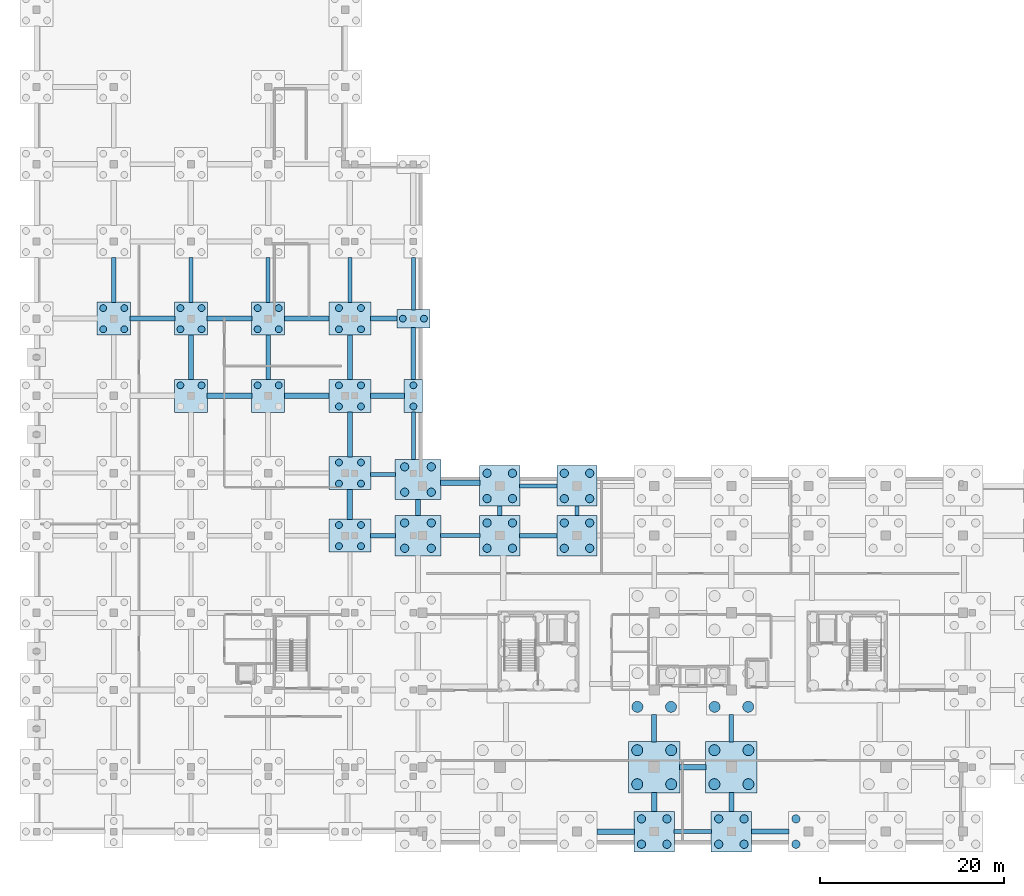
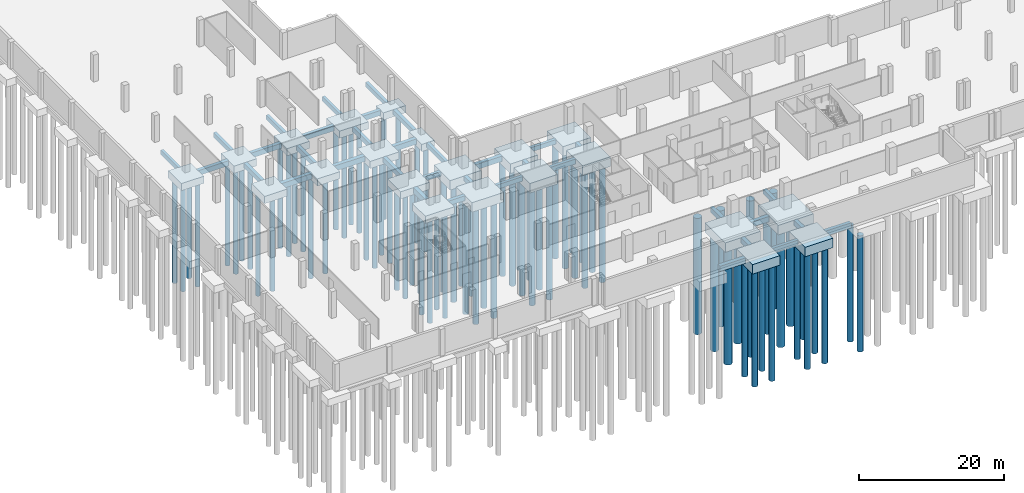
# One storey, part 3 of 17: 82 piles, 57 footings.
"""IFC4 building model written with IfcOpenShell, lengths in metres."""

from ifc_helpers import new_model, si_unit, direction, frame, origin, origin_2d, place, context, subcontext, project, spatial, rectangle, circle, extrude, material, material_profile, profile_set, type_object, element, save


model = new_model("IFC4")

# Units and contexts
model_context = context("Model", 3, precision=1e-05, world=origin(), true_north=direction((0.0, 1.0)))
body_context = subcontext(model_context, "Body", "Model", "MODEL_VIEW")
ifc_project = project(units=[si_unit("LENGTHUNIT", "METRE"), si_unit("AREAUNIT", "SQUARE_METRE"), si_unit("VOLUMEUNIT", "CUBIC_METRE"), si_unit("PLANEANGLEUNIT", "RADIAN"), si_unit("MASSUNIT", "GRAM", prefix="KILO")], contexts=[model_context])

# Site, building, storey
site_placement = place(None, origin())
site = spatial("IfcSite", under=ifc_project, at=site_placement, CompositionType="ELEMENT")
building_placement = place(site_placement, origin())
building = spatial("IfcBuilding", under=site, at=building_placement, Name="Telukmera Botanical Conservatory", CompositionType="ELEMENT")
storey_placement = place(building_placement, frame((0.0, 0.0, -4.5)))
storey = spatial("IfcBuildingStorey", under=building, at=storey_placement, Name="B1", CompositionType="ELEMENT", Elevation=-4.5)

# Footings
ifc_material_1 = material(Name="Concrete C50/60", Category="concrete")
footing_type_1 = type_object("IfcFootingType", Name="Cap_PC10", PredefinedType="PILE_CAP", material=ifc_material_1)
for number, where, z_axis, x_axis, name in (
    (1, (75.60009765625, 17.60009765625, -2.050048828125), (0.0, 0.0, 1.0), (1.0, 0.0, 0.0), "Pile Cap G015"),
    (2, (84.0, 17.60009765625, -2.050048828125), (0.0, 0.0, 1.0), (1.0, 0.0, 0.0), "Pile Cap G021"),
):
    element("IfcFooting", number, at=place(storey_placement, frame(where, z_axis=z_axis, x_axis=x_axis)), inside=storey, type_object=footing_type_1, Name=name, PredefinedType="PILE_CAP", context=body_context, shape_type="SweptSolid", body=[
        extrude(rectangle(XDim=5.60009765625, YDim=5.60009765625, at=origin_2d()), origin(), (0.0, 0.0, 1.0), 1.60009765625),
    ])
footing_type_2 = type_object("IfcFootingType", Name="Cap_PC2", PredefinedType="PILE_CAP", material=ifc_material_1)
footing_1_placement = place(storey_placement, frame((49.39990234375, 66.39990234375, -1.64990234375), z_axis=(0.0, 0.0, 1.0), x_axis=(1.0, 0.0, 0.0)))
element("IfcFooting", 3, at=footing_1_placement, inside=storey, type_object=footing_type_2, Name="Pile Cap G142", PredefinedType="PILE_CAP", context=body_context, shape_type="SweptSolid", body=[
    extrude(rectangle(XDim=3.60009765625, YDim=2.0, at=origin_2d()), origin(), (0.0, 0.0, 1.0), 1.199951171875),
])
footing_type_3 = type_object("IfcFootingType", Name="Cap_PC3", PredefinedType="PILE_CAP", material=ifc_material_1)
footing_2_placement = place(storey_placement, frame((49.39990234375, 58.0, -1.64990234375), z_axis=(0.0, 0.0, 1.0), x_axis=(1.0, 0.0, 0.0)))
element("IfcFooting", 4, at=footing_2_placement, inside=storey, type_object=footing_type_3, Name="Pile Cap G141", PredefinedType="PILE_CAP", context=body_context, shape_type="SweptSolid", body=[
    extrude(rectangle(XDim=2.0, YDim=3.60009765625, at=origin_2d()), origin(), (0.0, 0.0, 1.0), 1.199951171875),
])
footing_type_4 = type_object("IfcFootingType", Name="Cap_PC4", PredefinedType="PILE_CAP", material=ifc_material_1)
for number, where, z_axis, x_axis, name in (
    (5, (16.800048828125, 66.39990234375, -1.64990234375), (0.0, 0.0, 1.0), (1.0, 0.0, 0.0), "Pile Cap G106"),
    (6, (25.199951171875, 58.0, -1.64990234375), (0.0, 0.0, 1.0), (1.0, 0.0, 0.0), "Pile Cap G113"),
    (7, (25.199951171875, 66.39990234375, -1.64990234375), (0.0, 0.0, 1.0), (1.0, 0.0, 0.0), "Pile Cap G114"),
    (8, (33.60009765625, 58.0, -1.64990234375), (0.0, 0.0, 1.0), (1.0, 0.0, 0.0), "Pile Cap G121"),
    (9, (33.60009765625, 66.39990234375, -1.64990234375), (0.0, 0.0, 1.0), (1.0, 0.0, 0.0), "Pile Cap G122"),
):
    element("IfcFooting", number, at=place(storey_placement, frame(where, z_axis=z_axis, x_axis=x_axis)), inside=storey, type_object=footing_type_4, Name=name, PredefinedType="PILE_CAP", context=body_context, shape_type="SweptSolid", body=[
        extrude(rectangle(XDim=3.60009765625, YDim=3.60009765625, at=origin_2d()), origin(), (0.0, 0.0, 1.0), 1.199951171875),
    ])
footing_type_5 = type_object("IfcFootingType", Name="Cap_PC5", PredefinedType="PILE_CAP", material=ifc_material_1)
for number, where, z_axis, x_axis, name in (
    (10, (42.5, 42.800048828125, -1.64990234375), (0.0, 0.0, 1.0), (1.0, 0.0, 0.0), "Pile Cap G127"),
    (11, (42.5, 49.60009765625, -1.64990234375), (0.0, 0.0, 1.0), (1.0, 0.0, 0.0), "Pile Cap G128"),
    (12, (42.5, 58.0, -1.64990234375), (0.0, 0.0, 1.0), (1.0, 0.0, 0.0), "Pile Cap G129"),
    (13, (42.5, 66.39990234375, -1.64990234375), (0.0, 0.0, 1.0), (1.0, 0.0, 0.0), "Pile Cap G130"),
):
    element("IfcFooting", number, at=place(storey_placement, frame(where, z_axis=z_axis, x_axis=x_axis)), inside=storey, type_object=footing_type_5, Name=name, PredefinedType="PILE_CAP", context=body_context, shape_type="SweptSolid", body=[
        extrude(rectangle(XDim=4.60009765625, YDim=3.60009765625, at=origin_2d()), origin(), (0.0, 0.0, 1.0), 1.199951171875),
    ])
footing_type_6 = type_object("IfcFootingType", Name="Cap_PC7", PredefinedType="PILE_CAP", material=ifc_material_1)
for number, where, z_axis, x_axis, name in (
    (14, (58.800048828125, 42.800048828125, -2.050048828125), (0.0, 0.0, 1.0), (1.0, 0.0, 0.0), "Pile Cap G009"),
    (15, (58.800048828125, 48.199951171875, -2.050048828125), (0.0, 0.0, 1.0), (1.0, 0.0, 0.0), "Pile Cap G010"),
    (16, (67.199951171875, 42.800048828125, -2.050048828125), (0.0, 0.0, 1.0), (1.0, 0.0, 0.0), "Pile Cap G012"),
    (17, (67.199951171875, 48.199951171875, -2.050048828125), (0.0, 0.0, 1.0), (1.0, 0.0, 0.0), "Pile Cap G013"),
    (18, (75.60009765625, 10.60009765625, -2.050048828125), (0.0, 0.0, 1.0), (1.0, 0.0, 0.0), "Pile Cap G014"),
    (19, (84.0, 10.60009765625, -2.050048828125), (0.0, 0.0, 1.0), (1.0, 0.0, 0.0), "Pile Cap G020"),
):
    element("IfcFooting", number, at=place(storey_placement, frame(where, z_axis=z_axis, x_axis=x_axis)), inside=storey, type_object=footing_type_6, Name=name, PredefinedType="PILE_CAP", context=body_context, shape_type="SweptSolid", body=[
        extrude(rectangle(XDim=4.39990234375, YDim=4.39990234375, at=origin_2d()), origin(), (0.0, 0.0, 1.0), 1.60009765625),
    ])
footing_type_7 = type_object("IfcFootingType", Name="Cap_PC8", PredefinedType="PILE_CAP", material=ifc_material_1)
for number, where, z_axis, x_axis, name in (
    (20, (49.89990234375, 42.800048828125, -2.050048828125), (0.0, 0.0, 1.0), (1.0, 0.0, 0.0), "Pile Cap G005"),
    (21, (49.89990234375, 48.89990234375, -2.050048828125), (0.0, 0.0, 1.0), (1.0, 0.0, 0.0), "Pile Cap G006"),
):
    element("IfcFooting", number, at=place(storey_placement, frame(where, z_axis=z_axis, x_axis=x_axis)), inside=storey, type_object=footing_type_7, Name=name, PredefinedType="PILE_CAP", context=body_context, shape_type="SweptSolid", body=[
        extrude(rectangle(XDim=5.0, YDim=4.39990234375, at=origin_2d()), origin(), (0.0, 0.0, 1.0), 1.60009765625),
    ])
ifc_material_2 = material(Name="Concrete C40/50", Category="concrete")
ifc_material_profile_1 = material_profile(ifc_material_2, rectangle(XDim=0.60009765625, YDim=0.89990234375, at=origin_2d()), Name="RC 600x900")
ifc_profile_set_1 = profile_set([ifc_material_profile_1], Name="Concrete C40/50")
footing_type_8 = type_object("IfcFootingType", Name="GroundBeam_GB1", PredefinedType="FOOTING_BEAM", material=ifc_profile_set_1)
footing_3_placement = place(storey_placement, frame((52.360107421875, 48.550048828125, -0.89990234375), z_axis=(1.0, 0.0, 0.0), x_axis=(0.0, 1.0, 0.0)))
element("IfcFooting", 22, at=footing_3_placement, inside=storey, type_object=footing_type_8, Name="Ground Tie Beam GBX-008", PredefinedType="FOOTING_BEAM", context=body_context, shape_type="SweptSolid", body=[
    extrude(rectangle(XDim=0.60009765625, YDim=0.89990234375, at=origin_2d()), origin(), (0.0, 0.0, 1.0), 4.27978515625),
])
footing_4_placement = place(storey_placement, frame((69.360107421875, 10.60009765625, -0.89990234375), z_axis=(1.0, 0.0, 0.0), x_axis=(0.0, 1.0, 0.0)))
element("IfcFooting", 23, at=footing_4_placement, inside=storey, type_object=footing_type_8, Name="Ground Tie Beam GBX-012", PredefinedType="FOOTING_BEAM", context=body_context, shape_type="SweptSolid", body=[
    extrude(rectangle(XDim=0.60009765625, YDim=0.89990234375, at=origin_2d()), origin(), (0.0, 0.0, 1.0), 4.079833984375),
])
footing_5_placement = place(storey_placement, frame((78.360107421875, 17.60009765625, -0.89990234375), z_axis=(1.0, 0.0, 0.0), x_axis=(0.0, 1.0, 0.0)))
element("IfcFooting", 24, at=footing_5_placement, inside=storey, type_object=footing_type_8, Name="Ground Tie Beam GBX-016", PredefinedType="FOOTING_BEAM", context=body_context, shape_type="SweptSolid", body=[
    extrude(rectangle(XDim=0.60009765625, YDim=0.89990234375, at=origin_2d()), origin(), (0.0, 0.0, 1.0), 2.8798828125),
])
footing_6_placement = place(storey_placement, frame((26.9599609375, 58.0, -0.89990234375), z_axis=(1.0, 0.0, 0.0), x_axis=(0.0, 1.0, 0.0)))
element("IfcFooting", 25, at=footing_6_placement, inside=storey, type_object=footing_type_8, Name="Ground Tie Beam GBX-100", PredefinedType="FOOTING_BEAM", context=body_context, shape_type="SweptSolid", body=[
    extrude(rectangle(XDim=0.60009765625, YDim=0.89990234375, at=origin_2d()), origin(), (0.0, 0.0, 1.0), 4.880126953125),
])
footing_7_placement = place(storey_placement, frame((35.360107421875, 58.0, -0.89990234375), z_axis=(1.0, 0.0, 0.0), x_axis=(0.0, 1.0, 0.0)))
element("IfcFooting", 26, at=footing_7_placement, inside=storey, type_object=footing_type_8, Name="Ground Tie Beam GBX-108", PredefinedType="FOOTING_BEAM", context=body_context, shape_type="SweptSolid", body=[
    extrude(rectangle(XDim=0.60009765625, YDim=0.89990234375, at=origin_2d()), origin(), (0.0, 0.0, 1.0), 4.8798828125),
])
footing_8_placement = place(storey_placement, frame((44.760009765625, 58.0, -0.89990234375), z_axis=(1.0, 0.0, 0.0), x_axis=(0.0, 1.0, 0.0)))
element("IfcFooting", 27, at=footing_8_placement, inside=storey, type_object=footing_type_8, Name="Ground Tie Beam GBX-116", PredefinedType="FOOTING_BEAM", context=body_context, shape_type="SweptSolid", body=[
    extrude(rectangle(XDim=0.60009765625, YDim=0.89990234375, at=origin_2d()), origin(), (0.0, 0.0, 1.0), 3.679931640625),
])
footing_9_placement = place(storey_placement, frame((75.60009765625, 12.760009765625, -0.89990234375), z_axis=(0.0, 1.0, 0.0), x_axis=(-1.0, 0.0, 0.0)))
element("IfcFooting", 28, at=footing_9_placement, inside=storey, type_object=footing_type_8, Name="Ground Tie Beam GBY-136", PredefinedType="FOOTING_BEAM", context=body_context, shape_type="SweptSolid", body=[
    extrude(rectangle(XDim=0.60009765625, YDim=0.89990234375, at=origin_2d()), origin(), (0.0, 0.0, 1.0), 2.080078125),
])
footing_10_placement = place(storey_placement, frame((42.5, 44.56005859375, -0.89990234375), z_axis=(0.0, 1.0, 0.0), x_axis=(-1.0, 0.0, 0.0)))
element("IfcFooting", 29, at=footing_10_placement, inside=storey, type_object=footing_type_8, Name="Ground Tie Beam GBY-228", PredefinedType="FOOTING_BEAM", context=body_context, shape_type="SweptSolid", body=[
    extrude(rectangle(XDim=0.60009765625, YDim=0.89990234375, at=origin_2d()), origin(), (0.0, 0.0, 1.0), 3.280029296875),
])
ifc_material_profile_2 = material_profile(ifc_material_2, rectangle(XDim=0.550048828125, YDim=0.85009765625, at=origin_2d()), Name="RC 550x850")
ifc_profile_set_2 = profile_set([ifc_material_profile_2], Name="Concrete C40/50")
footing_type_9 = type_object("IfcFootingType", Name="GroundBeam_GB2", PredefinedType="FOOTING_BEAM", material=ifc_profile_set_2)
footing_11_placement = place(storey_placement, frame((86.159912109375, 10.60009765625, -0.875), z_axis=(1.0, 0.0, 0.0), x_axis=(0.0, 1.0, 0.0)))
element("IfcFooting", 30, at=footing_11_placement, inside=storey, type_object=footing_type_9, Name="Ground Tie Beam GBX-021", PredefinedType="FOOTING_BEAM", context=body_context, shape_type="SweptSolid", body=[
    extrude(rectangle(XDim=0.550048828125, YDim=0.85009765625, at=origin_2d()), origin(), (0.0, 0.0, 1.0), 4.080078125),
])
footing_12_placement = place(storey_placement, frame((18.56005859375, 66.39990234375, -0.875), z_axis=(1.0, 0.0, 0.0), x_axis=(0.0, 1.0, 0.0)))
element("IfcFooting", 31, at=footing_12_placement, inside=storey, type_object=footing_type_9, Name="Ground Tie Beam GBX-093", PredefinedType="FOOTING_BEAM", context=body_context, shape_type="SweptSolid", body=[
    extrude(rectangle(XDim=0.550048828125, YDim=0.85009765625, at=origin_2d()), origin(), (0.0, 0.0, 1.0), 4.8798828125),
])
footing_13_placement = place(storey_placement, frame((26.9599609375, 66.39990234375, -0.875), z_axis=(1.0, 0.0, 0.0), x_axis=(0.0, 1.0, 0.0)))
element("IfcFooting", 32, at=footing_13_placement, inside=storey, type_object=footing_type_9, Name="Ground Tie Beam GBX-101", PredefinedType="FOOTING_BEAM", context=body_context, shape_type="SweptSolid", body=[
    extrude(rectangle(XDim=0.550048828125, YDim=0.85009765625, at=origin_2d()), origin(), (0.0, 0.0, 1.0), 4.880126953125),
])
footing_14_placement = place(storey_placement, frame((35.360107421875, 66.39990234375, -0.875), z_axis=(1.0, 0.0, 0.0), x_axis=(0.0, 1.0, 0.0)))
element("IfcFooting", 33, at=footing_14_placement, inside=storey, type_object=footing_type_9, Name="Ground Tie Beam GBX-109", PredefinedType="FOOTING_BEAM", context=body_context, shape_type="SweptSolid", body=[
    extrude(rectangle(XDim=0.550048828125, YDim=0.85009765625, at=origin_2d()), origin(), (0.0, 0.0, 1.0), 4.8798828125),
])
footing_15_placement = place(storey_placement, frame((44.760009765625, 66.39990234375, -0.875), z_axis=(1.0, 0.0, 0.0), x_axis=(0.0, 1.0, 0.0)))
element("IfcFooting", 34, at=footing_15_placement, inside=storey, type_object=footing_type_9, Name="Ground Tie Beam GBX-117", PredefinedType="FOOTING_BEAM", context=body_context, shape_type="SweptSolid", body=[
    extrude(rectangle(XDim=0.550048828125, YDim=0.85009765625, at=origin_2d()), origin(), (0.0, 0.0, 1.0), 2.8798828125),
])
footing_16_placement = place(storey_placement, frame((75.60009765625, 20.360107421875, -0.875), z_axis=(0.0, 1.0, 0.0), x_axis=(-1.0, 0.0, 0.0)))
element("IfcFooting", 35, at=footing_16_placement, inside=storey, type_object=footing_type_9, Name="Ground Tie Beam GBY-137", PredefinedType="FOOTING_BEAM", context=body_context, shape_type="SweptSolid", body=[
    extrude(rectangle(XDim=0.550048828125, YDim=0.85009765625, at=origin_2d()), origin(), (0.0, 0.0, 1.0), 2.97998046875),
])
footing_17_placement = place(storey_placement, frame((84.0, 12.760009765625, -0.875), z_axis=(0.0, 1.0, 0.0), x_axis=(-1.0, 0.0, 0.0)))
element("IfcFooting", 36, at=footing_17_placement, inside=storey, type_object=footing_type_9, Name="Ground Tie Beam GBY-141", PredefinedType="FOOTING_BEAM", context=body_context, shape_type="SweptSolid", body=[
    extrude(rectangle(XDim=0.550048828125, YDim=0.85009765625, at=origin_2d()), origin(), (0.0, 0.0, 1.0), 2.080078125),
])
footing_18_placement = place(storey_placement, frame((42.5, 51.360107421875, -0.875), z_axis=(0.0, 1.0, 0.0), x_axis=(-1.0, 0.0, 0.0)))
element("IfcFooting", 37, at=footing_18_placement, inside=storey, type_object=footing_type_9, Name="Ground Tie Beam GBY-229", PredefinedType="FOOTING_BEAM", context=body_context, shape_type="SweptSolid", body=[
    extrude(rectangle(XDim=0.550048828125, YDim=0.85009765625, at=origin_2d()), origin(), (0.0, 0.0, 1.0), 4.8798828125),
])
ifc_material_profile_3 = material_profile(ifc_material_2, rectangle(XDim=0.5, YDim=0.800048828125, at=origin_2d()), Name="RC 500x800")
ifc_profile_set_3 = profile_set([ifc_material_profile_3], Name="Concrete C40/50")
footing_type_10 = type_object("IfcFootingType", Name="GroundBeam_GB3", PredefinedType="FOOTING_BEAM", material=ifc_profile_set_3)
footing_19_placement = place(storey_placement, frame((60.9599609375, 42.800048828125, -0.85009765625), z_axis=(1.0, 0.0, 0.0), x_axis=(0.0, 1.0, 0.0)))
element("IfcFooting", 38, at=footing_19_placement, inside=storey, type_object=footing_type_10, Name="Ground Tie Beam GBX-010", PredefinedType="FOOTING_BEAM", context=body_context, shape_type="SweptSolid", body=[
    extrude(rectangle(XDim=0.5, YDim=0.800048828125, at=origin_2d()), origin(), (0.0, 0.0, 1.0), 4.080078125),
])
footing_20_placement = place(storey_placement, frame((44.760009765625, 42.800048828125, -0.85009765625), z_axis=(1.0, 0.0, 0.0), x_axis=(0.0, 1.0, 0.0)))
element("IfcFooting", 39, at=footing_20_placement, inside=storey, type_object=footing_type_10, Name="Ground Tie Beam GBX-114", PredefinedType="FOOTING_BEAM", context=body_context, shape_type="SweptSolid", body=[
    extrude(rectangle(XDim=0.5, YDim=0.800048828125, at=origin_2d()), origin(), (0.0, 0.0, 1.0), 2.679931640625),
])
footing_21_placement = place(storey_placement, frame((49.89990234375, 44.9599609375, -0.85009765625), z_axis=(0.0, 1.0, 0.0), x_axis=(-1.0, 0.0, 0.0)))
element("IfcFooting", 40, at=footing_21_placement, inside=storey, type_object=footing_type_10, Name="Ground Tie Beam GBY-130", PredefinedType="FOOTING_BEAM", context=body_context, shape_type="SweptSolid", body=[
    extrude(rectangle(XDim=0.5, YDim=0.800048828125, at=origin_2d()), origin(), (0.0, 0.0, 1.0), 1.780029296875),
])
footing_22_placement = place(storey_placement, frame((58.800048828125, 44.9599609375, -0.85009765625), z_axis=(0.0, 1.0, 0.0), x_axis=(-1.0, 0.0, 0.0)))
element("IfcFooting", 41, at=footing_22_placement, inside=storey, type_object=footing_type_10, Name="Ground Tie Beam GBY-134", PredefinedType="FOOTING_BEAM", context=body_context, shape_type="SweptSolid", body=[
    extrude(rectangle(XDim=0.5, YDim=0.800048828125, at=origin_2d()), origin(), (0.0, 0.0, 1.0), 1.080078125),
])
footing_23_placement = place(storey_placement, frame((84.0, 20.360107421875, -0.85009765625), z_axis=(0.0, 1.0, 0.0), x_axis=(-1.0, 0.0, 0.0)))
element("IfcFooting", 42, at=footing_23_placement, inside=storey, type_object=footing_type_10, Name="Ground Tie Beam GBY-142", PredefinedType="FOOTING_BEAM", context=body_context, shape_type="SweptSolid", body=[
    extrude(rectangle(XDim=0.5, YDim=0.800048828125, at=origin_2d()), origin(), (0.0, 0.0, 1.0), 2.97998046875),
])
for number, where, z_axis, x_axis, name in (
    (43, (25.199951171875, 59.760009765625, -0.85009765625), (0.0, 1.0, 0.0), (-1.0, 0.0, 0.0), "Ground Tie Beam GBY-214"),
    (44, (33.60009765625, 59.760009765625, -0.85009765625), (0.0, 1.0, 0.0), (-1.0, 0.0, 0.0), "Ground Tie Beam GBY-222"),
    (45, (42.5, 59.760009765625, -0.85009765625), (0.0, 1.0, 0.0), (-1.0, 0.0, 0.0), "Ground Tie Beam GBY-230"),
):
    element("IfcFooting", number, at=place(storey_placement, frame(where, z_axis=z_axis, x_axis=x_axis)), inside=storey, type_object=footing_type_10, Name=name, PredefinedType="FOOTING_BEAM", context=body_context, shape_type="SweptSolid", body=[
        extrude(rectangle(XDim=0.5, YDim=0.800048828125, at=origin_2d()), origin(), (0.0, 0.0, 1.0), 4.8798828125),
    ])
footing_24_placement = place(storey_placement, frame((49.39990234375, 59.760009765625, -0.85009765625), z_axis=(0.0, 1.0, 0.0), x_axis=(-1.0, 0.0, 0.0)))
element("IfcFooting", 46, at=footing_24_placement, inside=storey, type_object=footing_type_10, Name="Ground Tie Beam GBY-242", PredefinedType="FOOTING_BEAM", context=body_context, shape_type="SweptSolid", body=[
    extrude(rectangle(XDim=0.5, YDim=0.800048828125, at=origin_2d()), origin(), (0.0, 0.0, 1.0), 5.679931640625),
])
ifc_material_profile_4 = material_profile(ifc_material_2, rectangle(XDim=0.449951171875, YDim=0.75, at=origin_2d()), Name="RC 450x750")
ifc_profile_set_4 = profile_set([ifc_material_profile_4], Name="Concrete C40/50")
footing_type_11 = type_object("IfcFootingType", Name="GroundBeam_GB4", PredefinedType="FOOTING_BEAM", material=ifc_profile_set_4)
footing_25_placement = place(storey_placement, frame((52.360107421875, 42.800048828125, -0.824951171875), z_axis=(1.0, 0.0, 0.0), x_axis=(0.0, 1.0, 0.0)))
element("IfcFooting", 47, at=footing_25_placement, inside=storey, type_object=footing_type_11, Name="Ground Tie Beam GBX-007", PredefinedType="FOOTING_BEAM", context=body_context, shape_type="SweptSolid", body=[
    extrude(rectangle(XDim=0.449951171875, YDim=0.75, at=origin_2d()), origin(), (0.0, 0.0, 1.0), 4.27978515625),
])
for number, where, z_axis, x_axis, name in (
    (48, (60.9599609375, 48.199951171875, -0.824951171875), (1.0, 0.0, 0.0), (0.0, 1.0, 0.0), "Ground Tie Beam GBX-011"),
    (49, (77.760009765625, 10.60009765625, -0.824951171875), (1.0, 0.0, 0.0), (0.0, 1.0, 0.0), "Ground Tie Beam GBX-015"),
):
    element("IfcFooting", number, at=place(storey_placement, frame(where, z_axis=z_axis, x_axis=x_axis)), inside=storey, type_object=footing_type_11, Name=name, PredefinedType="FOOTING_BEAM", context=body_context, shape_type="SweptSolid", body=[
        extrude(rectangle(XDim=0.449951171875, YDim=0.75, at=origin_2d()), origin(), (0.0, 0.0, 1.0), 4.080078125),
    ])
footing_26_placement = place(storey_placement, frame((44.760009765625, 49.449951171875, -0.824951171875), z_axis=(1.0, 0.0, 0.0), x_axis=(0.0, 1.0, 0.0)))
element("IfcFooting", 50, at=footing_26_placement, inside=storey, type_object=footing_type_11, Name="Ground Tie Beam GBX-115", PredefinedType="FOOTING_BEAM", context=body_context, shape_type="SweptSolid", body=[
    extrude(rectangle(XDim=0.449951171875, YDim=0.75, at=origin_2d()), origin(), (0.0, 0.0, 1.0), 2.679931640625),
])
footing_27_placement = place(storey_placement, frame((49.39990234375, 51.06005859375, -0.824951171875), z_axis=(0.0, 1.0, 0.0), x_axis=(-1.0, 0.0, 0.0)))
element("IfcFooting", 51, at=footing_27_placement, inside=storey, type_object=footing_type_11, Name="Ground Tie Beam GBY-131", PredefinedType="FOOTING_BEAM", context=body_context, shape_type="SweptSolid", body=[
    extrude(rectangle(XDim=0.449951171875, YDim=0.75, at=origin_2d()), origin(), (0.0, 0.0, 1.0), 5.179931640625),
])
footing_28_placement = place(storey_placement, frame((67.199951171875, 44.9599609375, -0.824951171875), z_axis=(0.0, 1.0, 0.0), x_axis=(-1.0, 0.0, 0.0)))
element("IfcFooting", 52, at=footing_28_placement, inside=storey, type_object=footing_type_11, Name="Ground Tie Beam GBY-135", PredefinedType="FOOTING_BEAM", context=body_context, shape_type="SweptSolid", body=[
    extrude(rectangle(XDim=0.449951171875, YDim=0.75, at=origin_2d()), origin(), (0.0, 0.0, 1.0), 1.080078125),
])
for number, where, z_axis, x_axis, name in (
    (53, (16.800048828125, 68.159912109375, -0.824951171875), (0.0, 1.0, 0.0), (-1.0, 0.0, 0.0), "Ground Tie Beam GBY-207"),
    (54, (25.199951171875, 68.159912109375, -0.824951171875), (0.0, 1.0, 0.0), (-1.0, 0.0, 0.0), "Ground Tie Beam GBY-215"),
    (55, (33.60009765625, 68.159912109375, -0.824951171875), (0.0, 1.0, 0.0), (-1.0, 0.0, 0.0), "Ground Tie Beam GBY-223"),
    (56, (42.5, 68.159912109375, -0.824951171875), (0.0, 1.0, 0.0), (-1.0, 0.0, 0.0), "Ground Tie Beam GBY-231"),
):
    element("IfcFooting", number, at=place(storey_placement, frame(where, z_axis=z_axis, x_axis=x_axis)), inside=storey, type_object=footing_type_11, Name=name, PredefinedType="FOOTING_BEAM", context=body_context, shape_type="SweptSolid", body=[
        extrude(rectangle(XDim=0.449951171875, YDim=0.75, at=origin_2d()), origin(), (0.0, 0.0, 1.0), 4.880126953125),
    ])
footing_29_placement = place(storey_placement, frame((49.39990234375, 67.360107421875, -0.824951171875), z_axis=(0.0, 1.0, 0.0), x_axis=(-1.0, 0.0, 0.0)))
element("IfcFooting", 57, at=footing_29_placement, inside=storey, type_object=footing_type_11, Name="Ground Tie Beam GBY-243", PredefinedType="FOOTING_BEAM", context=body_context, shape_type="SweptSolid", body=[
    extrude(rectangle(XDim=0.449951171875, YDim=0.75, at=origin_2d()), origin(), (0.0, 0.0, 1.0), 5.679931640625),
])

# Piles
ifc_material_profile_5 = material_profile(ifc_material_2, circle(Radius=0.60009765625, at=origin_2d()), Name="PILE D1200")
ifc_profile_set_5 = profile_set([ifc_material_profile_5], Name="Concrete C40/50")
pile_type_1 = type_object("IfcPileType", Name="Pile_PL1", PredefinedType="BORED", material=ifc_profile_set_5)
for number, where, z_axis, x_axis, name in (
    (58, (73.75, 15.75, -1.949951171875), (0.0, 0.0, -1.0), (1.0, 0.0, 0.0), "Bored Pile G015-1"),
    (59, (77.449951171875, 15.75, -1.949951171875), (0.0, 0.0, -1.0), (1.0, 0.0, 0.0), "Bored Pile G015-2"),
    (60, (73.75, 19.449951171875, -1.949951171875), (0.0, 0.0, -1.0), (1.0, 0.0, 0.0), "Bored Pile G015-3"),
    (61, (77.449951171875, 19.449951171875, -1.949951171875), (0.0, 0.0, -1.0), (1.0, 0.0, 0.0), "Bored Pile G015-4"),
    (62, (73.77001953125, 24.169921875, -1.949951171875), (0.0, 0.0, -1.0), (1.0, 0.0, 0.0), "Bored Pile G016-1"),
    (63, (77.429931640625, 24.169921875, -1.949951171875), (0.0, 0.0, -1.0), (1.0, 0.0, 0.0), "Bored Pile G016-2"),
    (64, (82.14990234375, 15.75, -1.949951171875), (0.0, 0.0, -1.0), (1.0, 0.0, 0.0), "Bored Pile G021-1"),
    (65, (85.85009765625, 15.75, -1.949951171875), (0.0, 0.0, -1.0), (1.0, 0.0, 0.0), "Bored Pile G021-2"),
    (66, (82.14990234375, 19.449951171875, -1.949951171875), (0.0, 0.0, -1.0), (1.0, 0.0, 0.0), "Bored Pile G021-3"),
    (67, (85.85009765625, 19.449951171875, -1.949951171875), (0.0, 0.0, -1.0), (1.0, 0.0, 0.0), "Bored Pile G021-4"),
    (68, (82.169921875, 24.169921875, -1.949951171875), (0.0, 0.0, -1.0), (1.0, 0.0, 0.0), "Bored Pile G022-1"),
    (69, (85.830078125, 24.169921875, -1.949951171875), (0.0, 0.0, -1.0), (1.0, 0.0, 0.0), "Bored Pile G022-2"),
):
    element("IfcPile", number, at=place(storey_placement, frame(where, z_axis=z_axis, x_axis=x_axis)), inside=storey, type_object=pile_type_1, Name=name, PredefinedType="BORED", context=body_context, shape_type="SweptSolid", body=[
        extrude(circle(Radius=0.60009765625, at=origin_2d()), origin(), (0.0, 0.0, 1.0), 19.550048828125),
    ])
ifc_material_profile_6 = material_profile(ifc_material_2, circle(Radius=0.449951171875, at=origin_2d()), Name="PILE D900")
ifc_profile_set_6 = profile_set([ifc_material_profile_6], Name="Concrete C40/50")
pile_type_2 = type_object("IfcPileType", Name="Pile_PL2", PredefinedType="BORED", material=ifc_profile_set_6)
for number, where, z_axis, x_axis, name in (
    (70, (48.449951171875, 41.419921875, -1.949951171875), (0.0, 0.0, -1.0), (1.0, 0.0, 0.0), "Bored Pile G005-1"),
    (71, (51.35009765625, 41.419921875, -1.949951171875), (0.0, 0.0, -1.0), (1.0, 0.0, 0.0), "Bored Pile G005-2"),
    (72, (48.449951171875, 44.179931640625, -1.949951171875), (0.0, 0.0, -1.0), (1.0, 0.0, 0.0), "Bored Pile G005-3"),
    (73, (51.35009765625, 44.179931640625, -1.949951171875), (0.0, 0.0, -1.0), (1.0, 0.0, 0.0), "Bored Pile G005-4"),
    (74, (48.449951171875, 47.52001953125, -1.949951171875), (0.0, 0.0, -1.0), (1.0, 0.0, 0.0), "Bored Pile G006-1"),
    (75, (51.35009765625, 47.52001953125, -1.949951171875), (0.0, 0.0, -1.0), (1.0, 0.0, 0.0), "Bored Pile G006-2"),
    (76, (48.449951171875, 50.280029296875, -1.949951171875), (0.0, 0.0, -1.0), (1.0, 0.0, 0.0), "Bored Pile G006-3"),
    (77, (51.35009765625, 50.280029296875, -1.949951171875), (0.0, 0.0, -1.0), (1.0, 0.0, 0.0), "Bored Pile G006-4"),
    (78, (57.419921875, 41.419921875, -1.949951171875), (0.0, 0.0, -1.0), (1.0, 0.0, 0.0), "Bored Pile G009-1"),
    (79, (60.179931640625, 41.419921875, -1.949951171875), (0.0, 0.0, -1.0), (1.0, 0.0, 0.0), "Bored Pile G009-2"),
    (80, (57.419921875, 44.179931640625, -1.949951171875), (0.0, 0.0, -1.0), (1.0, 0.0, 0.0), "Bored Pile G009-3"),
    (81, (60.179931640625, 44.179931640625, -1.949951171875), (0.0, 0.0, -1.0), (1.0, 0.0, 0.0), "Bored Pile G009-4"),
    (82, (57.419921875, 46.820068359375, -1.949951171875), (0.0, 0.0, -1.0), (1.0, 0.0, 0.0), "Bored Pile G010-1"),
    (83, (60.179931640625, 46.820068359375, -1.949951171875), (0.0, 0.0, -1.0), (1.0, 0.0, 0.0), "Bored Pile G010-2"),
    (84, (57.419921875, 49.580078125, -1.949951171875), (0.0, 0.0, -1.0), (1.0, 0.0, 0.0), "Bored Pile G010-3"),
    (85, (60.179931640625, 49.580078125, -1.949951171875), (0.0, 0.0, -1.0), (1.0, 0.0, 0.0), "Bored Pile G010-4"),
    (86, (65.820068359375, 41.419921875, -1.949951171875), (0.0, 0.0, -1.0), (1.0, 0.0, 0.0), "Bored Pile G012-1"),
    (87, (68.580078125, 41.419921875, -1.949951171875), (0.0, 0.0, -1.0), (1.0, 0.0, 0.0), "Bored Pile G012-2"),
    (88, (65.820068359375, 44.179931640625, -1.949951171875), (0.0, 0.0, -1.0), (1.0, 0.0, 0.0), "Bored Pile G012-3"),
    (89, (68.580078125, 44.179931640625, -1.949951171875), (0.0, 0.0, -1.0), (1.0, 0.0, 0.0), "Bored Pile G012-4"),
    (90, (65.820068359375, 46.820068359375, -1.949951171875), (0.0, 0.0, -1.0), (1.0, 0.0, 0.0), "Bored Pile G013-1"),
    (91, (68.580078125, 46.820068359375, -1.949951171875), (0.0, 0.0, -1.0), (1.0, 0.0, 0.0), "Bored Pile G013-2"),
    (92, (65.820068359375, 49.580078125, -1.949951171875), (0.0, 0.0, -1.0), (1.0, 0.0, 0.0), "Bored Pile G013-3"),
    (93, (68.580078125, 49.580078125, -1.949951171875), (0.0, 0.0, -1.0), (1.0, 0.0, 0.0), "Bored Pile G013-4"),
    (94, (74.219970703125, 9.219970703125, -1.949951171875), (0.0, 0.0, -1.0), (1.0, 0.0, 0.0), "Bored Pile G014-1"),
    (95, (76.97998046875, 9.219970703125, -1.949951171875), (0.0, 0.0, -1.0), (1.0, 0.0, 0.0), "Bored Pile G014-2"),
    (96, (74.219970703125, 11.97998046875, -1.949951171875), (0.0, 0.0, -1.0), (1.0, 0.0, 0.0), "Bored Pile G014-3"),
    (97, (76.97998046875, 11.97998046875, -1.949951171875), (0.0, 0.0, -1.0), (1.0, 0.0, 0.0), "Bored Pile G014-4"),
    (98, (82.6201171875, 9.219970703125, -1.949951171875), (0.0, 0.0, -1.0), (1.0, 0.0, 0.0), "Bored Pile G020-1"),
    (99, (85.3798828125, 9.219970703125, -1.949951171875), (0.0, 0.0, -1.0), (1.0, 0.0, 0.0), "Bored Pile G020-2"),
    (100, (82.6201171875, 11.97998046875, -1.949951171875), (0.0, 0.0, -1.0), (1.0, 0.0, 0.0), "Bored Pile G020-3"),
    (101, (85.3798828125, 11.97998046875, -1.949951171875), (0.0, 0.0, -1.0), (1.0, 0.0, 0.0), "Bored Pile G020-4"),
    (102, (91.02001953125, 9.219970703125, -1.949951171875), (0.0, 0.0, -1.0), (1.0, 0.0, 0.0), "Bored Pile G026-1"),
    (103, (91.02001953125, 11.97998046875, -1.949951171875), (0.0, 0.0, -1.0), (1.0, 0.0, 0.0), "Bored Pile G026-3"),
):
    element("IfcPile", number, at=place(storey_placement, frame(where, z_axis=z_axis, x_axis=x_axis)), inside=storey, type_object=pile_type_2, Name=name, PredefinedType="BORED", context=body_context, shape_type="SweptSolid", body=[
        extrude(circle(Radius=0.449951171875, at=origin_2d()), origin(), (0.0, 0.0, 1.0), 19.550048828125),
    ])
ifc_material_profile_7 = material_profile(ifc_material_2, circle(Radius=0.375, at=origin_2d()), Name="PILE D750")
ifc_profile_set_7 = profile_set([ifc_material_profile_7], Name="Concrete C40/50")
pile_type_3 = type_object("IfcPileType", Name="Pile_PL3", PredefinedType="BORED", material=ifc_profile_set_7)
for number, where, z_axis, x_axis, name in (
    (104, (15.64990234375, 65.25, -1.550048828125), (0.0, 0.0, -1.0), (1.0, 0.0, 0.0), "Bored Pile G106-1"),
    (105, (17.949951171875, 65.25, -1.550048828125), (0.0, 0.0, -1.0), (1.0, 0.0, 0.0), "Bored Pile G106-2"),
    (106, (15.64990234375, 67.550048828125, -1.550048828125), (0.0, 0.0, -1.0), (1.0, 0.0, 0.0), "Bored Pile G106-3"),
    (107, (17.949951171875, 67.550048828125, -1.550048828125), (0.0, 0.0, -1.0), (1.0, 0.0, 0.0), "Bored Pile G106-4"),
    (108, (24.050048828125, 59.14990234375, -1.550048828125), (0.0, 0.0, -1.0), (1.0, 0.0, 0.0), "Bored Pile G113-3"),
    (109, (26.35009765625, 59.14990234375, -1.550048828125), (0.0, 0.0, -1.0), (1.0, 0.0, 0.0), "Bored Pile G113-4"),
    (110, (24.050048828125, 65.25, -1.550048828125), (0.0, 0.0, -1.0), (1.0, 0.0, 0.0), "Bored Pile G114-1"),
    (111, (26.35009765625, 65.25, -1.550048828125), (0.0, 0.0, -1.0), (1.0, 0.0, 0.0), "Bored Pile G114-2"),
    (112, (24.050048828125, 67.550048828125, -1.550048828125), (0.0, 0.0, -1.0), (1.0, 0.0, 0.0), "Bored Pile G114-3"),
    (113, (26.35009765625, 67.550048828125, -1.550048828125), (0.0, 0.0, -1.0), (1.0, 0.0, 0.0), "Bored Pile G114-4"),
    (114, (32.449951171875, 59.14990234375, -1.550048828125), (0.0, 0.0, -1.0), (1.0, 0.0, 0.0), "Bored Pile G121-3"),
    (115, (34.75, 59.14990234375, -1.550048828125), (0.0, 0.0, -1.0), (1.0, 0.0, 0.0), "Bored Pile G121-4"),
    (116, (32.449951171875, 65.25, -1.550048828125), (0.0, 0.0, -1.0), (1.0, 0.0, 0.0), "Bored Pile G122-1"),
    (117, (34.75, 65.25, -1.550048828125), (0.0, 0.0, -1.0), (1.0, 0.0, 0.0), "Bored Pile G122-2"),
    (118, (32.449951171875, 67.550048828125, -1.550048828125), (0.0, 0.0, -1.0), (1.0, 0.0, 0.0), "Bored Pile G122-3"),
    (119, (34.75, 67.550048828125, -1.550048828125), (0.0, 0.0, -1.0), (1.0, 0.0, 0.0), "Bored Pile G122-4"),
    (120, (41.300048828125, 41.64990234375, -1.550048828125), (0.0, 0.0, -1.0), (1.0, 0.0, 0.0), "Bored Pile G127-1"),
    (121, (43.699951171875, 41.64990234375, -1.550048828125), (0.0, 0.0, -1.0), (1.0, 0.0, 0.0), "Bored Pile G127-2"),
    (122, (41.300048828125, 43.949951171875, -1.550048828125), (0.0, 0.0, -1.0), (1.0, 0.0, 0.0), "Bored Pile G127-3"),
    (123, (43.699951171875, 43.949951171875, -1.550048828125), (0.0, 0.0, -1.0), (1.0, 0.0, 0.0), "Bored Pile G127-4"),
    (124, (41.300048828125, 48.449951171875, -1.550048828125), (0.0, 0.0, -1.0), (1.0, 0.0, 0.0), "Bored Pile G128-1"),
    (125, (43.699951171875, 48.449951171875, -1.550048828125), (0.0, 0.0, -1.0), (1.0, 0.0, 0.0), "Bored Pile G128-2"),
    (126, (41.300048828125, 50.75, -1.550048828125), (0.0, 0.0, -1.0), (1.0, 0.0, 0.0), "Bored Pile G128-3"),
    (127, (43.699951171875, 50.75, -1.550048828125), (0.0, 0.0, -1.0), (1.0, 0.0, 0.0), "Bored Pile G128-4"),
    (128, (41.300048828125, 56.85009765625, -1.550048828125), (0.0, 0.0, -1.0), (1.0, 0.0, 0.0), "Bored Pile G129-1"),
    (129, (43.699951171875, 56.85009765625, -1.550048828125), (0.0, 0.0, -1.0), (1.0, 0.0, 0.0), "Bored Pile G129-2"),
    (130, (41.300048828125, 59.14990234375, -1.550048828125), (0.0, 0.0, -1.0), (1.0, 0.0, 0.0), "Bored Pile G129-3"),
    (131, (43.699951171875, 59.14990234375, -1.550048828125), (0.0, 0.0, -1.0), (1.0, 0.0, 0.0), "Bored Pile G129-4"),
    (132, (41.300048828125, 65.25, -1.550048828125), (0.0, 0.0, -1.0), (1.0, 0.0, 0.0), "Bored Pile G130-1"),
    (133, (43.699951171875, 65.25, -1.550048828125), (0.0, 0.0, -1.0), (1.0, 0.0, 0.0), "Bored Pile G130-2"),
    (134, (41.300048828125, 67.550048828125, -1.550048828125), (0.0, 0.0, -1.0), (1.0, 0.0, 0.0), "Bored Pile G130-3"),
    (135, (43.699951171875, 67.550048828125, -1.550048828125), (0.0, 0.0, -1.0), (1.0, 0.0, 0.0), "Bored Pile G130-4"),
    (136, (49.39990234375, 56.85009765625, -1.550048828125), (0.0, 0.0, -1.0), (1.0, 0.0, 0.0), "Bored Pile G141-1"),
    (137, (49.39990234375, 59.14990234375, -1.550048828125), (0.0, 0.0, -1.0), (1.0, 0.0, 0.0), "Bored Pile G141-2"),
    (138, (48.25, 66.39990234375, -1.550048828125), (0.0, 0.0, -1.0), (1.0, 0.0, 0.0), "Bored Pile G142-1"),
    (139, (50.550048828125, 66.39990234375, -1.550048828125), (0.0, 0.0, -1.0), (1.0, 0.0, 0.0), "Bored Pile G142-2"),
):
    element("IfcPile", number, at=place(storey_placement, frame(where, z_axis=z_axis, x_axis=x_axis)), inside=storey, type_object=pile_type_3, Name=name, PredefinedType="BORED", context=body_context, shape_type="SweptSolid", body=[
        extrude(circle(Radius=0.375, at=origin_2d()), origin(), (0.0, 0.0, 1.0), 17.449951171875),
    ])

save(model, "model.ifc")
